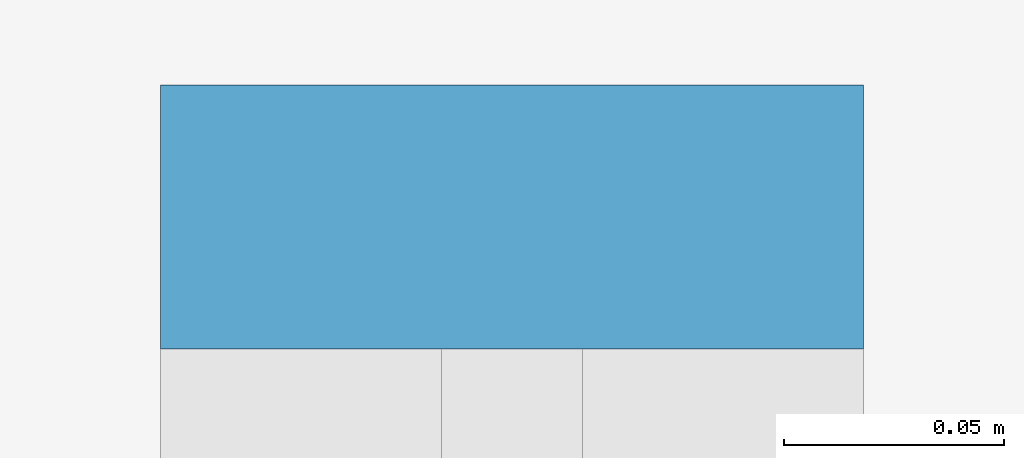
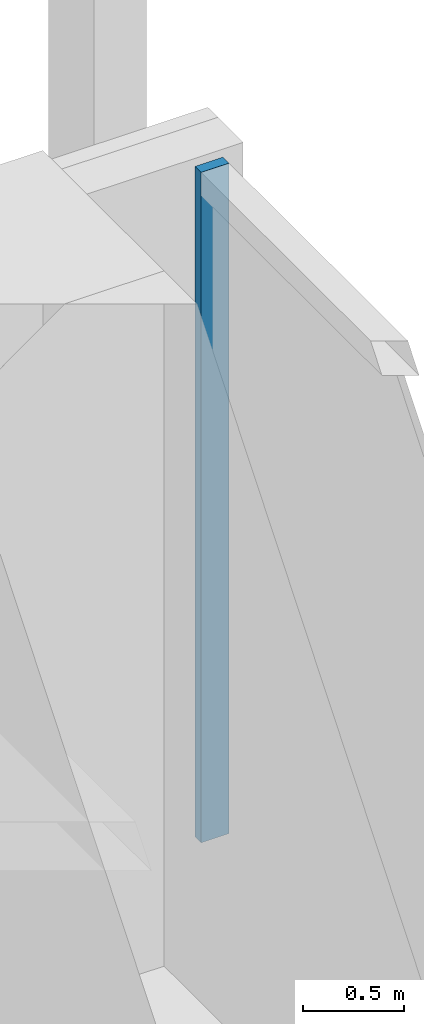
# One storey, part 17 of 28: 1 member, 1 element without a shape of its own.
"""IFC4 building model written with IfcOpenShell, lengths in metres."""

from ifc_helpers import new_model, si_unit, direction, frame, origin, origin_2d, place, context, subcontext, project, spatial, rectangle, extrude, material, material_profile, profile_set, type_object, element, aggregate, save


model = new_model("IFC4")

# Units and contexts
model_context = context("Model", 3, precision=1e-05, world=origin(), true_north=direction((0.0, 1.0)))
body_context = subcontext(model_context, "Body", "Model", "MODEL_VIEW")
ifc_project = project(units=[si_unit("LENGTHUNIT", "METRE"), si_unit("AREAUNIT", "SQUARE_METRE"), si_unit("VOLUMEUNIT", "CUBIC_METRE"), si_unit("PLANEANGLEUNIT", "RADIAN"), si_unit("MASSUNIT", "GRAM", prefix="KILO")], contexts=[model_context])

# Site, building, storey
site_placement = place(None, origin())
site = spatial("IfcSite", under=ifc_project, at=site_placement, CompositionType="ELEMENT")
building_placement = place(site_placement, origin())
building = spatial("IfcBuilding", under=site, at=building_placement, Name="Bicima Exchange Tower", CompositionType="ELEMENT")
storey_placement = place(building_placement, frame((0.0, 0.0, 241.39990234375)))
storey = spatial("IfcBuildingStorey", under=building, at=storey_placement, Name="L54", CompositionType="ELEMENT", Elevation=241.39990234375)

# Curtain wall, member
ifc_material = material(Name="Anodised bronze aluminium", Category="aluminium")
curtain_wall_type = type_object("IfcCurtainWallType", Name="Front glass wall", PredefinedType="NOTDEFINED", material=ifc_material)
curtain_wall_placement = place(storey_placement, origin())
curtain_wall = element("IfcCurtainWall", 1, at=curtain_wall_placement, inside=storey, type_object=curtain_wall_type, Name="Front glass wall L54 run 3", PredefinedType="NOTDEFINED")
ifc_material_profile = material_profile(ifc_material, rectangle(XDim=0.159912109375, YDim=0.06005859375, at=origin_2d()))
ifc_profile_set = profile_set([ifc_material_profile], Name="Anodised bronze aluminium")
member_type = type_object("IfcMemberType", Name="Front glass wall mullion 60 x 160", PredefinedType="MULLION", material=ifc_profile_set)
member_placement = place(storey_placement, frame((22.77001953125, -0.340087890625, 0.0), z_axis=(0.0, 0.0, 1.0), x_axis=(-1.0, 0.0, 0.0)))
member = element("IfcMember", 2, at=member_placement, type_object=member_type, Name="Front glass wall mullion 2", PredefinedType="MULLION", context=body_context, shape_type="SweptSolid", body=[
    extrude(rectangle(XDim=0.159912109375, YDim=0.06005859375, at=origin_2d()), origin(), (0.0, 0.0, 1.0), 4.050048828125),
])
aggregate(curtain_wall, [member])

save(model, "model.ifc")
